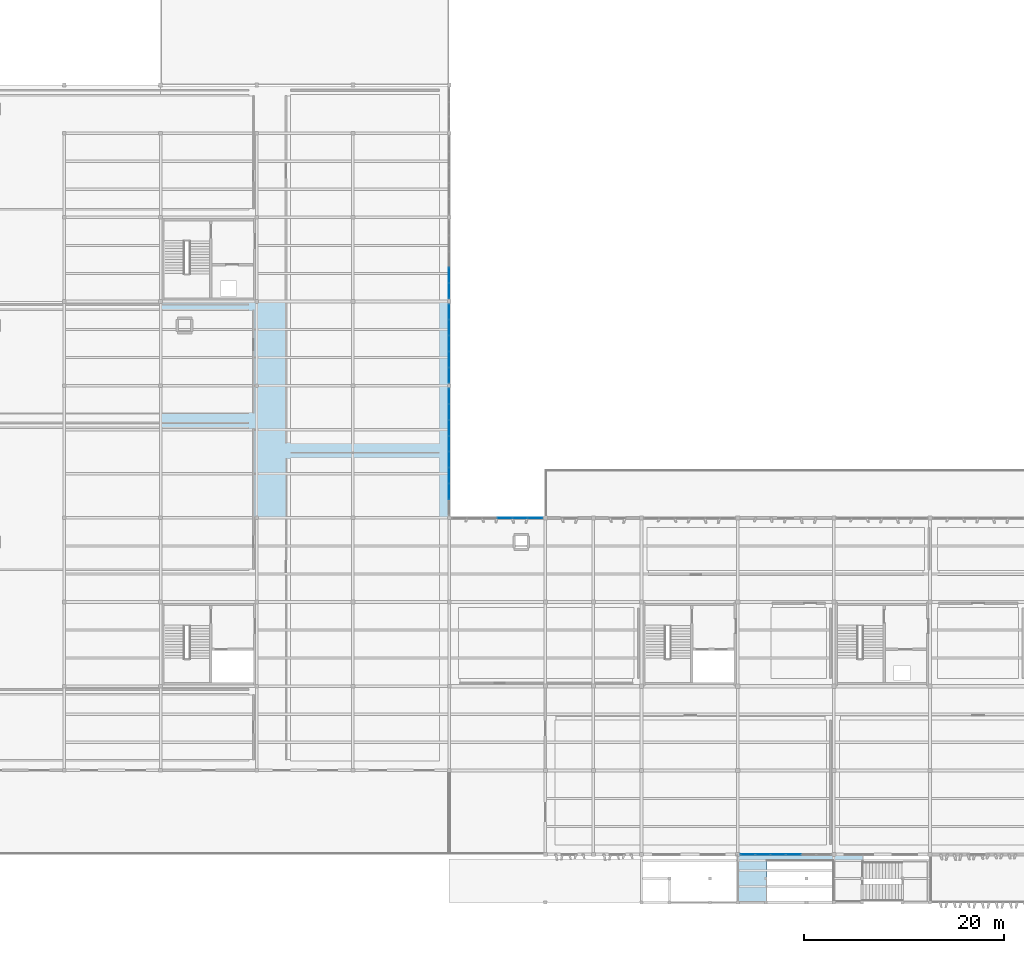
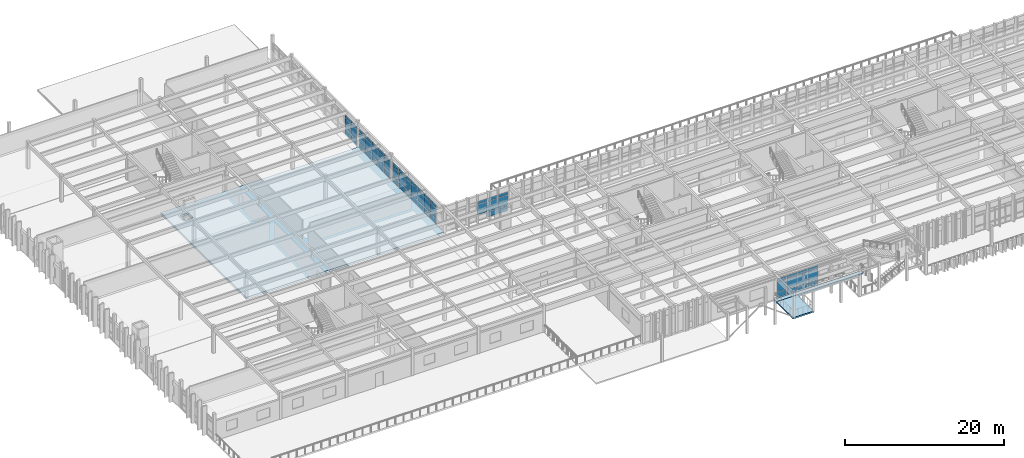
# One storey, part 30 of 61: 62 plates, 3 slabs, 5 elements without a shape of their own.
"""IFC4 building model written with IfcOpenShell, lengths in metres."""

from ifc_helpers import new_model, si_unit, direction, frame, origin, origin_2d, place, context, subcontext, project, spatial, polyline, rectangle, outline, extrude, material, layer, layer_set, type_object, element, aggregate, save


model = new_model("IFC4")

# Units and contexts
model_context = context("Model", 3, precision=1e-05, world=origin(), true_north=direction((0.0, 1.0)))
body_context = subcontext(model_context, "Body", "Model", "MODEL_VIEW")
ifc_project = project(units=[si_unit("LENGTHUNIT", "METRE"), si_unit("AREAUNIT", "SQUARE_METRE"), si_unit("VOLUMEUNIT", "CUBIC_METRE"), si_unit("PLANEANGLEUNIT", "RADIAN"), si_unit("MASSUNIT", "GRAM", prefix="KILO")], contexts=[model_context])

# Site, building, storey
site_placement = place(None, origin())
site = spatial("IfcSite", under=ifc_project, at=site_placement, CompositionType="ELEMENT")
building_placement = place(site_placement, origin())
building = spatial("IfcBuilding", under=site, at=building_placement, Name="Kolvemor Railside Polytechnic", CompositionType="ELEMENT")
storey_placement = place(building_placement, frame((0.0, 0.0, 10.199951171875)))
storey = spatial("IfcBuildingStorey", under=building, at=storey_placement, Name="L02", CompositionType="ELEMENT", Elevation=10.199951171875)

# Curtain wall, plates
ifc_material_1 = material(Name="Anodised marine aluminium and laminated low-E glass", Category="aluminium")
ifc_layer_1 = layer(ifc_material_1, 0.179931640625, Name="CW-UNIT-STD")
ifc_layer_set_1 = layer_set([ifc_layer_1], Name="Anodised marine aluminium and laminated low-E glass")
curtain_wall_type = type_object("IfcCurtainWallType", Name="CW-UNIT-STD", PredefinedType="USERDEFINED", material=ifc_layer_set_1)
curtain_wall_1_placement = place(storey_placement, origin())
curtain_wall_1 = element("IfcCurtainWall", 1, at=curtain_wall_1_placement, inside=storey, type_object=curtain_wall_type, Name="Curtain Wall L02-120", ObjectType="UNITISED CURTAIN WALL", PredefinedType="USERDEFINED")
ifc_material_2 = material(Name="Hurricane-laminated solar-control low-E glass", Category="glass")
ifc_layer_2 = layer(ifc_material_2, 0.028076171875, Name="CWP-GLZ-04")
ifc_layer_set_2 = layer_set([ifc_layer_2], Name="Hurricane-laminated solar-control low-E glass")
plate_type_1 = type_object("IfcPlateType", Name="CWP-GLZ-04", PredefinedType="CURTAIN_PANEL", material=ifc_layer_set_2)
plate_1_placement = place(storey_placement, frame((56.583740234375, 38.39990234375, 0.06494140625), z_axis=(0.0, 0.0, 1.0), x_axis=(-1.0, 0.0, 0.0)))
plate_1 = element("IfcPlate", 2, at=plate_1_placement, type_object=plate_type_1, Name="CW-STD panel 1.1", PredefinedType="CURTAIN_PANEL", context=body_context, shape_type="SweptSolid", body=[
    extrude(rectangle(XDim=1.422607421875, YDim=0.028076171875, at=origin_2d()), origin(), (0.0, 0.0, 1.0), 0.802490234375),
])
plate_2_placement = place(storey_placement, frame((56.583740234375, 38.39990234375, 0.9326171875), z_axis=(0.0, 0.0, 1.0), x_axis=(-1.0, 0.0, 0.0)))
plate_2 = element("IfcPlate", 3, at=plate_2_placement, type_object=plate_type_1, Name="CW-STD panel 1.2", PredefinedType="CURTAIN_PANEL", context=body_context, shape_type="SweptSolid", body=[
    extrude(rectangle(XDim=1.422607421875, YDim=0.028076171875, at=origin_2d()), origin(), (0.0, 0.0, 1.0), 1.534912109375),
])
plate_3_placement = place(storey_placement, frame((56.583740234375, 38.39990234375, 2.53271484375), z_axis=(0.0, 0.0, 1.0), x_axis=(-1.0, 0.0, 0.0)))
plate_3 = element("IfcPlate", 4, at=plate_3_placement, type_object=plate_type_1, Name="CW-STD panel 1.3", PredefinedType="CURTAIN_PANEL", context=body_context, shape_type="SweptSolid", body=[
    extrude(rectangle(XDim=1.422607421875, YDim=0.028076171875, at=origin_2d()), origin(), (0.0, 0.0, 1.0), 0.452392578125),
])
plate_4_placement = place(storey_placement, frame((55.080078125, 38.39990234375, 0.06494140625), z_axis=(0.0, 0.0, 1.0), x_axis=(-1.0, 0.0, 0.0)))
plate_4 = element("IfcPlate", 5, at=plate_4_placement, type_object=plate_type_1, Name="CW-STD panel 2.1", PredefinedType="CURTAIN_PANEL", context=body_context, shape_type="SweptSolid", body=[
    extrude(rectangle(XDim=1.455078125, YDim=0.028076171875, at=origin_2d()), origin(), (0.0, 0.0, 1.0), 0.802490234375),
])
plate_5_placement = place(storey_placement, frame((55.080078125, 38.39990234375, 0.9326171875), z_axis=(0.0, 0.0, 1.0), x_axis=(-1.0, 0.0, 0.0)))
plate_5 = element("IfcPlate", 6, at=plate_5_placement, type_object=plate_type_1, Name="CW-STD panel 2.2", PredefinedType="CURTAIN_PANEL", context=body_context, shape_type="SweptSolid", body=[
    extrude(rectangle(XDim=1.455078125, YDim=0.028076171875, at=origin_2d()), origin(), (0.0, 0.0, 1.0), 1.534912109375),
])
plate_6_placement = place(storey_placement, frame((55.080078125, 38.39990234375, 2.53271484375), z_axis=(0.0, 0.0, 1.0), x_axis=(-1.0, 0.0, 0.0)))
plate_6 = element("IfcPlate", 7, at=plate_6_placement, type_object=plate_type_1, Name="CW-STD panel 2.3", PredefinedType="CURTAIN_PANEL", context=body_context, shape_type="SweptSolid", body=[
    extrude(rectangle(XDim=1.455078125, YDim=0.028076171875, at=origin_2d()), origin(), (0.0, 0.0, 1.0), 0.452392578125),
])
plate_7_placement = place(storey_placement, frame((53.56005859375, 38.39990234375, 0.9326171875), z_axis=(0.0, 0.0, 1.0), x_axis=(-1.0, 0.0, 0.0)))
plate_7 = element("IfcPlate", 8, at=plate_7_placement, type_object=plate_type_1, Name="CW-STD panel 3.2", PredefinedType="CURTAIN_PANEL", context=body_context, shape_type="SweptSolid", body=[
    extrude(rectangle(XDim=1.455078125, YDim=0.028076171875, at=origin_2d()), origin(), (0.0, 0.0, 1.0), 1.534912109375),
])
plate_8_placement = place(storey_placement, frame((53.56005859375, 38.39990234375, 2.53271484375), z_axis=(0.0, 0.0, 1.0), x_axis=(-1.0, 0.0, 0.0)))
plate_8 = element("IfcPlate", 9, at=plate_8_placement, type_object=plate_type_1, Name="CW-STD panel 3.3", PredefinedType="CURTAIN_PANEL", context=body_context, shape_type="SweptSolid", body=[
    extrude(rectangle(XDim=1.455078125, YDim=0.028076171875, at=origin_2d()), origin(), (0.0, 0.0, 1.0), 0.452392578125),
])
aggregate(curtain_wall_1, [plate_1, plate_2, plate_3, plate_4, plate_5, plate_6, plate_7, plate_8])

curtain_wall_2_placement = place(storey_placement, origin())
curtain_wall_2 = element("IfcCurtainWall", 10, at=curtain_wall_2_placement, inside=storey, type_object=curtain_wall_type, Name="Curtain Wall L02-098", ObjectType="UNITISED CURTAIN WALL", PredefinedType="USERDEFINED")
ifc_material_3 = material(Name="Hurricane-laminated solar-control low-E glass", Category="glass")
ifc_layer_3 = layer(ifc_material_3, 0.033935546875, Name="CWP-GLZ-07")
ifc_layer_set_3 = layer_set([ifc_layer_3], Name="Hurricane-laminated solar-control low-E glass")
plate_type_2 = type_object("IfcPlateType", Name="CWP-GLZ-07", PredefinedType="CURTAIN_PANEL", material=ifc_layer_set_3)
plate_9_placement = place(storey_placement, frame((77.81884765625, 4.800048828125, 0.074951171875), z_axis=(0.0, 0.0, 1.0), x_axis=(1.0, 0.0, 0.0)))
plate_9 = element("IfcPlate", 11, at=plate_9_placement, type_object=plate_type_2, Name="CW-STD panel 1.1", PredefinedType="CURTAIN_PANEL", context=body_context, shape_type="SweptSolid", body=[
    extrude(rectangle(XDim=1.407470703125, YDim=0.033935546875, at=origin_2d()), origin(), (0.0, 0.0, 1.0), 0.78759765625),
])
plate_10_placement = place(storey_placement, frame((77.81884765625, 4.800048828125, 0.9375), z_axis=(0.0, 0.0, 1.0), x_axis=(1.0, 0.0, 0.0)))
plate_10 = element("IfcPlate", 12, at=plate_10_placement, type_object=plate_type_2, Name="CW-STD panel 1.2", PredefinedType="CURTAIN_PANEL", context=body_context, shape_type="SweptSolid", body=[
    extrude(rectangle(XDim=1.407470703125, YDim=0.033935546875, at=origin_2d()), origin(), (0.0, 0.0, 1.0), 1.52490234375),
])
plate_11_placement = place(storey_placement, frame((77.81884765625, 4.800048828125, 2.53759765625), z_axis=(0.0, 0.0, 1.0), x_axis=(1.0, 0.0, 0.0)))
plate_11 = element("IfcPlate", 13, at=plate_11_placement, type_object=plate_type_2, Name="CW-STD panel 1.3", PredefinedType="CURTAIN_PANEL", context=body_context, shape_type="SweptSolid", body=[
    extrude(rectangle(XDim=1.407470703125, YDim=0.033935546875, at=origin_2d()), origin(), (0.0, 0.0, 1.0), 0.4375),
])
plate_12_placement = place(storey_placement, frame((79.320068359375, 4.800048828125, 0.074951171875), z_axis=(0.0, 0.0, 1.0), x_axis=(1.0, 0.0, 0.0)))
plate_12 = element("IfcPlate", 14, at=plate_12_placement, type_object=plate_type_2, Name="CW-STD panel 2.1", PredefinedType="CURTAIN_PANEL", context=body_context, shape_type="SweptSolid", body=[
    extrude(rectangle(XDim=1.445068359375, YDim=0.033935546875, at=origin_2d()), origin(), (0.0, 0.0, 1.0), 0.78759765625),
])
plate_13_placement = place(storey_placement, frame((79.320068359375, 4.800048828125, 0.9375), z_axis=(0.0, 0.0, 1.0), x_axis=(1.0, 0.0, 0.0)))
plate_13 = element("IfcPlate", 15, at=plate_13_placement, type_object=plate_type_2, Name="CW-STD panel 2.2", PredefinedType="CURTAIN_PANEL", context=body_context, shape_type="SweptSolid", body=[
    extrude(rectangle(XDim=1.445068359375, YDim=0.033935546875, at=origin_2d()), origin(), (0.0, 0.0, 1.0), 1.52490234375),
])
plate_14_placement = place(storey_placement, frame((79.320068359375, 4.800048828125, 2.53759765625), z_axis=(0.0, 0.0, 1.0), x_axis=(1.0, 0.0, 0.0)))
plate_14 = element("IfcPlate", 16, at=plate_14_placement, type_object=plate_type_2, Name="CW-STD panel 2.3", PredefinedType="CURTAIN_PANEL", context=body_context, shape_type="SweptSolid", body=[
    extrude(rectangle(XDim=1.445068359375, YDim=0.033935546875, at=origin_2d()), origin(), (0.0, 0.0, 1.0), 0.4375),
])
plate_15_placement = place(storey_placement, frame((80.840087890625, 4.800048828125, 0.074951171875), z_axis=(0.0, 0.0, 1.0), x_axis=(1.0, 0.0, 0.0)))
plate_15 = element("IfcPlate", 17, at=plate_15_placement, type_object=plate_type_2, Name="CW-STD panel 3.1", PredefinedType="CURTAIN_PANEL", context=body_context, shape_type="SweptSolid", body=[
    extrude(rectangle(XDim=1.445068359375, YDim=0.033935546875, at=origin_2d()), origin(), (0.0, 0.0, 1.0), 0.78759765625),
])
plate_16_placement = place(storey_placement, frame((80.840087890625, 4.800048828125, 0.9375), z_axis=(0.0, 0.0, 1.0), x_axis=(1.0, 0.0, 0.0)))
plate_16 = element("IfcPlate", 18, at=plate_16_placement, type_object=plate_type_2, Name="CW-STD panel 3.2", PredefinedType="CURTAIN_PANEL", context=body_context, shape_type="SweptSolid", body=[
    extrude(rectangle(XDim=1.445068359375, YDim=0.033935546875, at=origin_2d()), origin(), (0.0, 0.0, 1.0), 1.52490234375),
])
plate_17_placement = place(storey_placement, frame((80.840087890625, 4.800048828125, 2.53759765625), z_axis=(0.0, 0.0, 1.0), x_axis=(1.0, 0.0, 0.0)))
plate_17 = element("IfcPlate", 19, at=plate_17_placement, type_object=plate_type_2, Name="CW-STD panel 3.3", PredefinedType="CURTAIN_PANEL", context=body_context, shape_type="SweptSolid", body=[
    extrude(rectangle(XDim=1.445068359375, YDim=0.033935546875, at=origin_2d()), origin(), (0.0, 0.0, 1.0), 0.4375),
])
plate_18_placement = place(storey_placement, frame((82.360107421875, 4.800048828125, 0.074951171875), z_axis=(0.0, 0.0, 1.0), x_axis=(1.0, 0.0, 0.0)))
plate_18 = element("IfcPlate", 20, at=plate_18_placement, type_object=plate_type_2, Name="CW-STD panel 4.1", PredefinedType="CURTAIN_PANEL", context=body_context, shape_type="SweptSolid", body=[
    extrude(rectangle(XDim=1.445068359375, YDim=0.033935546875, at=origin_2d()), origin(), (0.0, 0.0, 1.0), 0.78759765625),
])
plate_19_placement = place(storey_placement, frame((82.360107421875, 4.800048828125, 0.9375), z_axis=(0.0, 0.0, 1.0), x_axis=(1.0, 0.0, 0.0)))
plate_19 = element("IfcPlate", 21, at=plate_19_placement, type_object=plate_type_2, Name="CW-STD panel 4.2", PredefinedType="CURTAIN_PANEL", context=body_context, shape_type="SweptSolid", body=[
    extrude(rectangle(XDim=1.445068359375, YDim=0.033935546875, at=origin_2d()), origin(), (0.0, 0.0, 1.0), 1.52490234375),
])
plate_20_placement = place(storey_placement, frame((82.360107421875, 4.800048828125, 2.53759765625), z_axis=(0.0, 0.0, 1.0), x_axis=(1.0, 0.0, 0.0)))
plate_20 = element("IfcPlate", 22, at=plate_20_placement, type_object=plate_type_2, Name="CW-STD panel 4.3", PredefinedType="CURTAIN_PANEL", context=body_context, shape_type="SweptSolid", body=[
    extrude(rectangle(XDim=1.445068359375, YDim=0.033935546875, at=origin_2d()), origin(), (0.0, 0.0, 1.0), 0.4375),
])
aggregate(curtain_wall_2, [plate_9, plate_10, plate_11, plate_12, plate_13, plate_14, plate_15, plate_16, plate_17, plate_18, plate_19, plate_20])

curtain_wall_3_placement = place(storey_placement, origin())
curtain_wall_3 = element("IfcCurtainWall", 23, at=curtain_wall_3_placement, inside=storey, type_object=curtain_wall_type, Name="Curtain Wall L02-057", ObjectType="UNITISED CURTAIN WALL", PredefinedType="USERDEFINED")
ifc_material_4 = material(Name="Hurricane-laminated solar-control low-E glass", Category="glass")
ifc_layer_4 = layer(ifc_material_4, 0.035888671875, Name="CWP-GLZ-08")
ifc_layer_set_4 = layer_set([ifc_layer_4], Name="Hurricane-laminated solar-control low-E glass")
plate_type_3 = type_object("IfcPlateType", Name="CWP-GLZ-08", PredefinedType="CURTAIN_PANEL", material=ifc_layer_set_4)
plate_21_placement = place(storey_placement, frame((48.0, 41.02490234375, 0.06494140625), z_axis=(0.0, 0.0, 1.0), x_axis=(0.0, 1.0, 0.0)))
plate_21 = element("IfcPlate", 24, at=plate_21_placement, type_object=plate_type_3, Name="CW-STD panel 2.1", PredefinedType="CURTAIN_PANEL", context=body_context, shape_type="SweptSolid", body=[
    extrude(rectangle(XDim=1.52490234375, YDim=0.035888671875, at=origin_2d()), origin(), (0.0, 0.0, 1.0), 0.802490234375),
])
plate_22_placement = place(storey_placement, frame((48.0, 41.02490234375, 0.9326171875), z_axis=(0.0, 0.0, 1.0), x_axis=(0.0, 1.0, 0.0)))
plate_22 = element("IfcPlate", 25, at=plate_22_placement, type_object=plate_type_3, Name="CW-STD panel 2.2", PredefinedType="CURTAIN_PANEL", context=body_context, shape_type="SweptSolid", body=[
    extrude(rectangle(XDim=1.52490234375, YDim=0.035888671875, at=origin_2d()), origin(), (0.0, 0.0, 1.0), 1.534912109375),
])
plate_23_placement = place(storey_placement, frame((48.0, 41.02490234375, 2.53271484375), z_axis=(0.0, 0.0, 1.0), x_axis=(0.0, 1.0, 0.0)))
plate_23 = element("IfcPlate", 26, at=plate_23_placement, type_object=plate_type_3, Name="CW-STD panel 2.3", PredefinedType="CURTAIN_PANEL", context=body_context, shape_type="SweptSolid", body=[
    extrude(rectangle(XDim=1.52490234375, YDim=0.035888671875, at=origin_2d()), origin(), (0.0, 0.0, 1.0), 0.452392578125),
])
plate_24_placement = place(storey_placement, frame((48.0, 42.614990234375, 0.06494140625), z_axis=(0.0, 0.0, 1.0), x_axis=(0.0, 1.0, 0.0)))
plate_24 = element("IfcPlate", 27, at=plate_24_placement, type_object=plate_type_3, Name="CW-STD panel 3.1", PredefinedType="CURTAIN_PANEL", context=body_context, shape_type="SweptSolid", body=[
    extrude(rectangle(XDim=1.52490234375, YDim=0.035888671875, at=origin_2d()), origin(), (0.0, 0.0, 1.0), 0.802490234375),
])
plate_25_placement = place(storey_placement, frame((48.0, 42.614990234375, 0.9326171875), z_axis=(0.0, 0.0, 1.0), x_axis=(0.0, 1.0, 0.0)))
plate_25 = element("IfcPlate", 28, at=plate_25_placement, type_object=plate_type_3, Name="CW-STD panel 3.2", PredefinedType="CURTAIN_PANEL", context=body_context, shape_type="SweptSolid", body=[
    extrude(rectangle(XDim=1.52490234375, YDim=0.035888671875, at=origin_2d()), origin(), (0.0, 0.0, 1.0), 1.534912109375),
])
plate_26_placement = place(storey_placement, frame((48.0, 42.614990234375, 2.53271484375), z_axis=(0.0, 0.0, 1.0), x_axis=(0.0, 1.0, 0.0)))
plate_26 = element("IfcPlate", 29, at=plate_26_placement, type_object=plate_type_3, Name="CW-STD panel 3.3", PredefinedType="CURTAIN_PANEL", context=body_context, shape_type="SweptSolid", body=[
    extrude(rectangle(XDim=1.52490234375, YDim=0.035888671875, at=origin_2d()), origin(), (0.0, 0.0, 1.0), 0.452392578125),
])
plate_27_placement = place(storey_placement, frame((48.0, 44.205078125, 0.06494140625), z_axis=(0.0, 0.0, 1.0), x_axis=(0.0, 1.0, 0.0)))
plate_27 = element("IfcPlate", 30, at=plate_27_placement, type_object=plate_type_3, Name="CW-STD panel 4.1", PredefinedType="CURTAIN_PANEL", context=body_context, shape_type="SweptSolid", body=[
    extrude(rectangle(XDim=1.52490234375, YDim=0.035888671875, at=origin_2d()), origin(), (0.0, 0.0, 1.0), 0.802490234375),
])
plate_28_placement = place(storey_placement, frame((48.0, 44.205078125, 0.9326171875), z_axis=(0.0, 0.0, 1.0), x_axis=(0.0, 1.0, 0.0)))
plate_28 = element("IfcPlate", 31, at=plate_28_placement, type_object=plate_type_3, Name="CW-STD panel 4.2", PredefinedType="CURTAIN_PANEL", context=body_context, shape_type="SweptSolid", body=[
    extrude(rectangle(XDim=1.52490234375, YDim=0.035888671875, at=origin_2d()), origin(), (0.0, 0.0, 1.0), 1.534912109375),
])
plate_29_placement = place(storey_placement, frame((48.0, 44.205078125, 2.53271484375), z_axis=(0.0, 0.0, 1.0), x_axis=(0.0, 1.0, 0.0)))
plate_29 = element("IfcPlate", 32, at=plate_29_placement, type_object=plate_type_3, Name="CW-STD panel 4.3", PredefinedType="CURTAIN_PANEL", context=body_context, shape_type="SweptSolid", body=[
    extrude(rectangle(XDim=1.52490234375, YDim=0.035888671875, at=origin_2d()), origin(), (0.0, 0.0, 1.0), 0.452392578125),
])
plate_30_placement = place(storey_placement, frame((48.0, 45.794921875, 0.06494140625), z_axis=(0.0, 0.0, 1.0), x_axis=(0.0, 1.0, 0.0)))
plate_30 = element("IfcPlate", 33, at=plate_30_placement, type_object=plate_type_3, Name="CW-STD panel 5.1", PredefinedType="CURTAIN_PANEL", context=body_context, shape_type="SweptSolid", body=[
    extrude(rectangle(XDim=1.52490234375, YDim=0.035888671875, at=origin_2d()), origin(), (0.0, 0.0, 1.0), 0.802490234375),
])
plate_31_placement = place(storey_placement, frame((48.0, 45.794921875, 0.9326171875), z_axis=(0.0, 0.0, 1.0), x_axis=(0.0, 1.0, 0.0)))
plate_31 = element("IfcPlate", 34, at=plate_31_placement, type_object=plate_type_3, Name="CW-STD panel 5.2", PredefinedType="CURTAIN_PANEL", context=body_context, shape_type="SweptSolid", body=[
    extrude(rectangle(XDim=1.52490234375, YDim=0.035888671875, at=origin_2d()), origin(), (0.0, 0.0, 1.0), 1.534912109375),
])
plate_32_placement = place(storey_placement, frame((48.0, 45.794921875, 2.53271484375), z_axis=(0.0, 0.0, 1.0), x_axis=(0.0, 1.0, 0.0)))
plate_32 = element("IfcPlate", 35, at=plate_32_placement, type_object=plate_type_3, Name="CW-STD panel 5.3", PredefinedType="CURTAIN_PANEL", context=body_context, shape_type="SweptSolid", body=[
    extrude(rectangle(XDim=1.52490234375, YDim=0.035888671875, at=origin_2d()), origin(), (0.0, 0.0, 1.0), 0.452392578125),
])
plate_33_placement = place(storey_placement, frame((48.0, 47.385009765625, 0.06494140625), z_axis=(0.0, 0.0, 1.0), x_axis=(0.0, 1.0, 0.0)))
plate_33 = element("IfcPlate", 36, at=plate_33_placement, type_object=plate_type_3, Name="CW-STD panel 6.1", PredefinedType="CURTAIN_PANEL", context=body_context, shape_type="SweptSolid", body=[
    extrude(rectangle(XDim=1.52490234375, YDim=0.035888671875, at=origin_2d()), origin(), (0.0, 0.0, 1.0), 0.802490234375),
])
plate_34_placement = place(storey_placement, frame((48.0, 47.385009765625, 0.9326171875), z_axis=(0.0, 0.0, 1.0), x_axis=(0.0, 1.0, 0.0)))
plate_34 = element("IfcPlate", 37, at=plate_34_placement, type_object=plate_type_3, Name="CW-STD panel 6.2", PredefinedType="CURTAIN_PANEL", context=body_context, shape_type="SweptSolid", body=[
    extrude(rectangle(XDim=1.52490234375, YDim=0.035888671875, at=origin_2d()), origin(), (0.0, 0.0, 1.0), 1.534912109375),
])
plate_35_placement = place(storey_placement, frame((48.0, 47.385009765625, 2.53271484375), z_axis=(0.0, 0.0, 1.0), x_axis=(0.0, 1.0, 0.0)))
plate_35 = element("IfcPlate", 38, at=plate_35_placement, type_object=plate_type_3, Name="CW-STD panel 6.3", PredefinedType="CURTAIN_PANEL", context=body_context, shape_type="SweptSolid", body=[
    extrude(rectangle(XDim=1.52490234375, YDim=0.035888671875, at=origin_2d()), origin(), (0.0, 0.0, 1.0), 0.452392578125),
])
plate_36_placement = place(storey_placement, frame((48.0, 48.97509765625, 0.06494140625), z_axis=(0.0, 0.0, 1.0), x_axis=(0.0, 1.0, 0.0)))
plate_36 = element("IfcPlate", 39, at=plate_36_placement, type_object=plate_type_3, Name="CW-STD panel 7.1", PredefinedType="CURTAIN_PANEL", context=body_context, shape_type="SweptSolid", body=[
    extrude(rectangle(XDim=1.52490234375, YDim=0.035888671875, at=origin_2d()), origin(), (0.0, 0.0, 1.0), 0.802490234375),
])
plate_37_placement = place(storey_placement, frame((48.0, 48.97509765625, 0.9326171875), z_axis=(0.0, 0.0, 1.0), x_axis=(0.0, 1.0, 0.0)))
plate_37 = element("IfcPlate", 40, at=plate_37_placement, type_object=plate_type_3, Name="CW-STD panel 7.2", PredefinedType="CURTAIN_PANEL", context=body_context, shape_type="SweptSolid", body=[
    extrude(rectangle(XDim=1.52490234375, YDim=0.035888671875, at=origin_2d()), origin(), (0.0, 0.0, 1.0), 1.534912109375),
])
plate_38_placement = place(storey_placement, frame((48.0, 48.97509765625, 2.53271484375), z_axis=(0.0, 0.0, 1.0), x_axis=(0.0, 1.0, 0.0)))
plate_38 = element("IfcPlate", 41, at=plate_38_placement, type_object=plate_type_3, Name="CW-STD panel 7.3", PredefinedType="CURTAIN_PANEL", context=body_context, shape_type="SweptSolid", body=[
    extrude(rectangle(XDim=1.52490234375, YDim=0.035888671875, at=origin_2d()), origin(), (0.0, 0.0, 1.0), 0.452392578125),
])
plate_39_placement = place(storey_placement, frame((48.0, 50.548828125, 0.06494140625), z_axis=(0.0, 0.0, 1.0), x_axis=(0.0, 1.0, 0.0)))
plate_39 = element("IfcPlate", 42, at=plate_39_placement, type_object=plate_type_3, Name="CW-STD panel 8.1", PredefinedType="CURTAIN_PANEL", context=body_context, shape_type="SweptSolid", body=[
    extrude(rectangle(XDim=1.492431640625, YDim=0.035888671875, at=origin_2d()), origin(), (0.0, 0.0, 1.0), 0.802490234375),
])
plate_40_placement = place(storey_placement, frame((48.0, 50.548828125, 0.9326171875), z_axis=(0.0, 0.0, 1.0), x_axis=(0.0, 1.0, 0.0)))
plate_40 = element("IfcPlate", 43, at=plate_40_placement, type_object=plate_type_3, Name="CW-STD panel 8.2", PredefinedType="CURTAIN_PANEL", context=body_context, shape_type="SweptSolid", body=[
    extrude(rectangle(XDim=1.492431640625, YDim=0.035888671875, at=origin_2d()), origin(), (0.0, 0.0, 1.0), 1.534912109375),
])
plate_41_placement = place(storey_placement, frame((48.0, 50.548828125, 2.53271484375), z_axis=(0.0, 0.0, 1.0), x_axis=(0.0, 1.0, 0.0)))
plate_41 = element("IfcPlate", 44, at=plate_41_placement, type_object=plate_type_3, Name="CW-STD panel 8.3", PredefinedType="CURTAIN_PANEL", context=body_context, shape_type="SweptSolid", body=[
    extrude(rectangle(XDim=1.492431640625, YDim=0.035888671875, at=origin_2d()), origin(), (0.0, 0.0, 1.0), 0.452392578125),
])
aggregate(curtain_wall_3, [plate_21, plate_22, plate_23, plate_24, plate_25, plate_26, plate_27, plate_28, plate_29, plate_30, plate_31, plate_32, plate_33, plate_34, plate_35, plate_36, plate_37, plate_38, plate_39, plate_40, plate_41])

curtain_wall_4_placement = place(storey_placement, origin())
curtain_wall_4 = element("IfcCurtainWall", 45, at=curtain_wall_4_placement, inside=storey, type_object=curtain_wall_type, Name="Curtain Wall L02-067", ObjectType="UNITISED CURTAIN WALL", PredefinedType="USERDEFINED")
ifc_material_5 = material(Name="Hurricane-laminated solar-control low-E glass", Category="glass")
ifc_layer_5 = layer(ifc_material_5, 0.0380859375, Name="CWP-GLZ-09")
ifc_layer_set_5 = layer_set([ifc_layer_5], Name="Hurricane-laminated solar-control low-E glass")
plate_type_4 = type_object("IfcPlateType", Name="CWP-GLZ-09", PredefinedType="CURTAIN_PANEL", material=ifc_layer_set_5)
plate_42_placement = place(storey_placement, frame((48.0, 52.648193359375, 0.06494140625), z_axis=(0.0, 0.0, 1.0), x_axis=(0.0, 1.0, 0.0)))
plate_42 = element("IfcPlate", 46, at=plate_42_placement, type_object=plate_type_4, Name="CW-STD panel 1.1", PredefinedType="CURTAIN_PANEL", context=body_context, shape_type="SweptSolid", body=[
    extrude(rectangle(XDim=1.486572265625, YDim=0.0380859375, at=origin_2d()), origin(), (0.0, 0.0, 1.0), 0.802490234375),
])
plate_43_placement = place(storey_placement, frame((48.0, 52.648193359375, 0.9326171875), z_axis=(0.0, 0.0, 1.0), x_axis=(0.0, 1.0, 0.0)))
plate_43 = element("IfcPlate", 47, at=plate_43_placement, type_object=plate_type_4, Name="CW-STD panel 1.2", PredefinedType="CURTAIN_PANEL", context=body_context, shape_type="SweptSolid", body=[
    extrude(rectangle(XDim=1.486572265625, YDim=0.0380859375, at=origin_2d()), origin(), (0.0, 0.0, 1.0), 1.534912109375),
])
plate_44_placement = place(storey_placement, frame((48.0, 52.648193359375, 2.53271484375), z_axis=(0.0, 0.0, 1.0), x_axis=(0.0, 1.0, 0.0)))
plate_44 = element("IfcPlate", 48, at=plate_44_placement, type_object=plate_type_4, Name="CW-STD panel 1.3", PredefinedType="CURTAIN_PANEL", context=body_context, shape_type="SweptSolid", body=[
    extrude(rectangle(XDim=1.486572265625, YDim=0.0380859375, at=origin_2d()), origin(), (0.0, 0.0, 1.0), 0.452392578125),
])
plate_45_placement = place(storey_placement, frame((48.0, 54.216064453125, 0.06494140625), z_axis=(0.0, 0.0, 1.0), x_axis=(0.0, 1.0, 0.0)))
plate_45 = element("IfcPlate", 49, at=plate_45_placement, type_object=plate_type_4, Name="CW-STD panel 2.1", PredefinedType="CURTAIN_PANEL", context=body_context, shape_type="SweptSolid", body=[
    extrude(rectangle(XDim=1.51904296875, YDim=0.0380859375, at=origin_2d()), origin(), (0.0, 0.0, 1.0), 0.802490234375),
])
plate_46_placement = place(storey_placement, frame((48.0, 54.216064453125, 0.9326171875), z_axis=(0.0, 0.0, 1.0), x_axis=(0.0, 1.0, 0.0)))
plate_46 = element("IfcPlate", 50, at=plate_46_placement, type_object=plate_type_4, Name="CW-STD panel 2.2", PredefinedType="CURTAIN_PANEL", context=body_context, shape_type="SweptSolid", body=[
    extrude(rectangle(XDim=1.51904296875, YDim=0.0380859375, at=origin_2d()), origin(), (0.0, 0.0, 1.0), 1.534912109375),
])
plate_47_placement = place(storey_placement, frame((48.0, 54.216064453125, 2.53271484375), z_axis=(0.0, 0.0, 1.0), x_axis=(0.0, 1.0, 0.0)))
plate_47 = element("IfcPlate", 51, at=plate_47_placement, type_object=plate_type_4, Name="CW-STD panel 2.3", PredefinedType="CURTAIN_PANEL", context=body_context, shape_type="SweptSolid", body=[
    extrude(rectangle(XDim=1.51904296875, YDim=0.0380859375, at=origin_2d()), origin(), (0.0, 0.0, 1.0), 0.452392578125),
])
plate_48_placement = place(storey_placement, frame((48.0, 55.800048828125, 0.06494140625), z_axis=(0.0, 0.0, 1.0), x_axis=(0.0, 1.0, 0.0)))
plate_48 = element("IfcPlate", 52, at=plate_48_placement, type_object=plate_type_4, Name="CW-STD panel 3.1", PredefinedType="CURTAIN_PANEL", context=body_context, shape_type="SweptSolid", body=[
    extrude(rectangle(XDim=1.51904296875, YDim=0.0380859375, at=origin_2d()), origin(), (0.0, 0.0, 1.0), 0.802490234375),
])
plate_49_placement = place(storey_placement, frame((48.0, 55.800048828125, 0.9326171875), z_axis=(0.0, 0.0, 1.0), x_axis=(0.0, 1.0, 0.0)))
plate_49 = element("IfcPlate", 53, at=plate_49_placement, type_object=plate_type_4, Name="CW-STD panel 3.2", PredefinedType="CURTAIN_PANEL", context=body_context, shape_type="SweptSolid", body=[
    extrude(rectangle(XDim=1.51904296875, YDim=0.0380859375, at=origin_2d()), origin(), (0.0, 0.0, 1.0), 1.534912109375),
])
plate_50_placement = place(storey_placement, frame((48.0, 55.800048828125, 2.53271484375), z_axis=(0.0, 0.0, 1.0), x_axis=(0.0, 1.0, 0.0)))
plate_50 = element("IfcPlate", 54, at=plate_50_placement, type_object=plate_type_4, Name="CW-STD panel 3.3", PredefinedType="CURTAIN_PANEL", context=body_context, shape_type="SweptSolid", body=[
    extrude(rectangle(XDim=1.51904296875, YDim=0.0380859375, at=origin_2d()), origin(), (0.0, 0.0, 1.0), 0.452392578125),
])
plate_51_placement = place(storey_placement, frame((48.0, 57.384033203125, 0.06494140625), z_axis=(0.0, 0.0, 1.0), x_axis=(0.0, 1.0, 0.0)))
plate_51 = element("IfcPlate", 55, at=plate_51_placement, type_object=plate_type_4, Name="CW-STD panel 4.1", PredefinedType="CURTAIN_PANEL", context=body_context, shape_type="SweptSolid", body=[
    extrude(rectangle(XDim=1.51904296875, YDim=0.0380859375, at=origin_2d()), origin(), (0.0, 0.0, 1.0), 0.802490234375),
])
plate_52_placement = place(storey_placement, frame((48.0, 57.384033203125, 0.9326171875), z_axis=(0.0, 0.0, 1.0), x_axis=(0.0, 1.0, 0.0)))
plate_52 = element("IfcPlate", 56, at=plate_52_placement, type_object=plate_type_4, Name="CW-STD panel 4.2", PredefinedType="CURTAIN_PANEL", context=body_context, shape_type="SweptSolid", body=[
    extrude(rectangle(XDim=1.51904296875, YDim=0.0380859375, at=origin_2d()), origin(), (0.0, 0.0, 1.0), 1.534912109375),
])
plate_53_placement = place(storey_placement, frame((48.0, 57.384033203125, 2.53271484375), z_axis=(0.0, 0.0, 1.0), x_axis=(0.0, 1.0, 0.0)))
plate_53 = element("IfcPlate", 57, at=plate_53_placement, type_object=plate_type_4, Name="CW-STD panel 4.3", PredefinedType="CURTAIN_PANEL", context=body_context, shape_type="SweptSolid", body=[
    extrude(rectangle(XDim=1.51904296875, YDim=0.0380859375, at=origin_2d()), origin(), (0.0, 0.0, 1.0), 0.452392578125),
])
plate_54_placement = place(storey_placement, frame((48.0, 58.95166015625, 0.06494140625), z_axis=(0.0, 0.0, 1.0), x_axis=(0.0, 1.0, 0.0)))
plate_54 = element("IfcPlate", 58, at=plate_54_placement, type_object=plate_type_4, Name="CW-STD panel 5.1", PredefinedType="CURTAIN_PANEL", context=body_context, shape_type="SweptSolid", body=[
    extrude(rectangle(XDim=1.486572265625, YDim=0.0380859375, at=origin_2d()), origin(), (0.0, 0.0, 1.0), 0.802490234375),
])
plate_55_placement = place(storey_placement, frame((48.0, 58.95166015625, 0.9326171875), z_axis=(0.0, 0.0, 1.0), x_axis=(0.0, 1.0, 0.0)))
plate_55 = element("IfcPlate", 59, at=plate_55_placement, type_object=plate_type_4, Name="CW-STD panel 5.2", PredefinedType="CURTAIN_PANEL", context=body_context, shape_type="SweptSolid", body=[
    extrude(rectangle(XDim=1.486572265625, YDim=0.0380859375, at=origin_2d()), origin(), (0.0, 0.0, 1.0), 1.534912109375),
])
plate_56_placement = place(storey_placement, frame((48.0, 58.95166015625, 2.53271484375), z_axis=(0.0, 0.0, 1.0), x_axis=(0.0, 1.0, 0.0)))
plate_56 = element("IfcPlate", 60, at=plate_56_placement, type_object=plate_type_4, Name="CW-STD panel 5.3", PredefinedType="CURTAIN_PANEL", context=body_context, shape_type="SweptSolid", body=[
    extrude(rectangle(XDim=1.486572265625, YDim=0.0380859375, at=origin_2d()), origin(), (0.0, 0.0, 1.0), 0.452392578125),
])
aggregate(curtain_wall_4, [plate_42, plate_43, plate_44, plate_45, plate_46, plate_47, plate_48, plate_49, plate_50, plate_51, plate_52, plate_53, plate_54, plate_55, plate_56])

curtain_wall_5_placement = place(storey_placement, origin())
curtain_wall_5 = element("IfcCurtainWall", 61, at=curtain_wall_5_placement, inside=storey, type_object=curtain_wall_type, Name="Curtain Wall L02-077", ObjectType="UNITISED CURTAIN WALL", PredefinedType="USERDEFINED")
ifc_material_6 = material(Name="Hurricane-laminated solar-control low-E glass", Category="glass")
ifc_layer_6 = layer(ifc_material_6, 0.0400390625, Name="CWP-GLZ-10")
ifc_layer_set_6 = layer_set([ifc_layer_6], Name="Hurricane-laminated solar-control low-E glass")
plate_type_5 = type_object("IfcPlateType", Name="CWP-GLZ-10", PredefinedType="CURTAIN_PANEL", material=ifc_layer_set_6)
plate_57_placement = place(storey_placement, frame((48.0, 61.04833984375, 0.06494140625), z_axis=(0.0, 0.0, 1.0), x_axis=(0.0, 1.0, 0.0)))
plate_57 = element("IfcPlate", 62, at=plate_57_placement, type_object=plate_type_5, Name="CW-STD panel 1.1", PredefinedType="CURTAIN_PANEL", context=body_context, shape_type="SweptSolid", body=[
    extrude(rectangle(XDim=1.486572265625, YDim=0.0400390625, at=origin_2d()), origin(), (0.0, 0.0, 1.0), 0.802490234375),
])
plate_58_placement = place(storey_placement, frame((48.0, 61.04833984375, 0.9326171875), z_axis=(0.0, 0.0, 1.0), x_axis=(0.0, 1.0, 0.0)))
plate_58 = element("IfcPlate", 63, at=plate_58_placement, type_object=plate_type_5, Name="CW-STD panel 1.2", PredefinedType="CURTAIN_PANEL", context=body_context, shape_type="SweptSolid", body=[
    extrude(rectangle(XDim=1.486572265625, YDim=0.0400390625, at=origin_2d()), origin(), (0.0, 0.0, 1.0), 1.534912109375),
])
plate_59_placement = place(storey_placement, frame((48.0, 61.04833984375, 2.53271484375), z_axis=(0.0, 0.0, 1.0), x_axis=(0.0, 1.0, 0.0)))
plate_59 = element("IfcPlate", 64, at=plate_59_placement, type_object=plate_type_5, Name="CW-STD panel 1.3", PredefinedType="CURTAIN_PANEL", context=body_context, shape_type="SweptSolid", body=[
    extrude(rectangle(XDim=1.486572265625, YDim=0.0400390625, at=origin_2d()), origin(), (0.0, 0.0, 1.0), 0.452392578125),
])
plate_60_placement = place(storey_placement, frame((48.0, 62.615966796875, 0.06494140625), z_axis=(0.0, 0.0, 1.0), x_axis=(0.0, 1.0, 0.0)))
plate_60 = element("IfcPlate", 65, at=plate_60_placement, type_object=plate_type_5, Name="CW-STD panel 2.1", PredefinedType="CURTAIN_PANEL", context=body_context, shape_type="SweptSolid", body=[
    extrude(rectangle(XDim=1.51904296875, YDim=0.0400390625, at=origin_2d()), origin(), (0.0, 0.0, 1.0), 0.802490234375),
])
plate_61_placement = place(storey_placement, frame((48.0, 62.615966796875, 0.9326171875), z_axis=(0.0, 0.0, 1.0), x_axis=(0.0, 1.0, 0.0)))
plate_61 = element("IfcPlate", 66, at=plate_61_placement, type_object=plate_type_5, Name="CW-STD panel 2.2", PredefinedType="CURTAIN_PANEL", context=body_context, shape_type="SweptSolid", body=[
    extrude(rectangle(XDim=1.51904296875, YDim=0.0400390625, at=origin_2d()), origin(), (0.0, 0.0, 1.0), 1.534912109375),
])
plate_62_placement = place(storey_placement, frame((48.0, 62.615966796875, 2.53271484375), z_axis=(0.0, 0.0, 1.0), x_axis=(0.0, 1.0, 0.0)))
plate_62 = element("IfcPlate", 67, at=plate_62_placement, type_object=plate_type_5, Name="CW-STD panel 2.3", PredefinedType="CURTAIN_PANEL", context=body_context, shape_type="SweptSolid", body=[
    extrude(rectangle(XDim=1.51904296875, YDim=0.0400390625, at=origin_2d()), origin(), (0.0, 0.0, 1.0), 0.452392578125),
])
aggregate(curtain_wall_5, [plate_57, plate_58, plate_59, plate_60, plate_61, plate_62])

# Slabs
ifc_material_7 = material(Name="Concrete C40/50", Category="concrete")
ifc_layer_7 = layer(ifc_material_7, 0.219970703125, Name="SLB-LND-170")
ifc_layer_set_7 = layer_set([ifc_layer_7], Name="Concrete C40/50")
slab_type_1 = type_object("IfcSlabType", Name="SLB-LND-170", PredefinedType="LANDING", material=ifc_layer_set_7)
slab_1_placement = place(storey_placement, frame((0.0, 0.0, -0.219970703125)))
element("IfcSlab", 68, at=slab_1_placement, inside=storey, type_object=slab_type_1, Name="External Zigzag Stair Arrival Landing L02", PredefinedType="LANDING", context=body_context, shape_type="SweptSolid", body=[
    extrude(outline(polyline([(76.699951171875, 0.050048828125), (79.75, 0.050048828125), (79.75, 4.14990234375), (76.699951171875, 4.14990234375), (76.699951171875, 0.050048828125)])), origin(), (0.0, 0.0, 1.0), 0.219970703125),
])
slab_2_placement = place(storey_placement, frame((0.0, 0.0, -0.219970703125)))
element("IfcSlab", 69, at=slab_2_placement, inside=storey, type_object=slab_type_1, Name="External Zigzag Rear Gallery L02-1", PredefinedType="LANDING", context=body_context, shape_type="SweptSolid", body=[
    extrude(outline(polyline([(76.699951171875, 4.159912109375), (89.35009765625, 4.159912109375), (89.35009765625, 4.780029296875), (76.699951171875, 4.780029296875), (76.699951171875, 4.159912109375)])), origin(), (0.0, 0.0, 1.0), 0.219970703125),
])
ifc_material_8 = material(Name="Concrete C40/50", Category="concrete")
ifc_layer_8 = layer(ifc_material_8, 0.320068359375, Name="SLB-POD-SEP")
ifc_layer_set_8 = layer_set([ifc_layer_8], Name="Concrete C40/50")
slab_type_2 = type_object("IfcSlabType", Name="SLB-POD-SEP", PredefinedType="FLOOR", material=ifc_layer_set_8)
slab_3_placement = place(storey_placement, frame((0.0, 0.0, -0.320068359375)))
element("IfcSlab", 70, at=slab_3_placement, inside=storey, type_object=slab_type_2, Name="V3 Seminar L02 Slab L02-67", PredefinedType="FLOOR", context=body_context, shape_type="SweptSolid", body=[
    extrude(outline(polyline([(19.199951171875, 38.39990234375), (48.0, 38.39990234375), (48.0, 60.0), (19.199951171875, 60.0), (19.199951171875, 38.39990234375)]), holes=[polyline([(21.0, 57.0), (22.199951171875, 57.0), (22.199951171875, 58.199951171875), (21.0, 58.199951171875), (21.0, 57.0)])]), origin(), (0.0, 0.0, 1.0), 0.320068359375),
])

save(model, "model.ifc")
